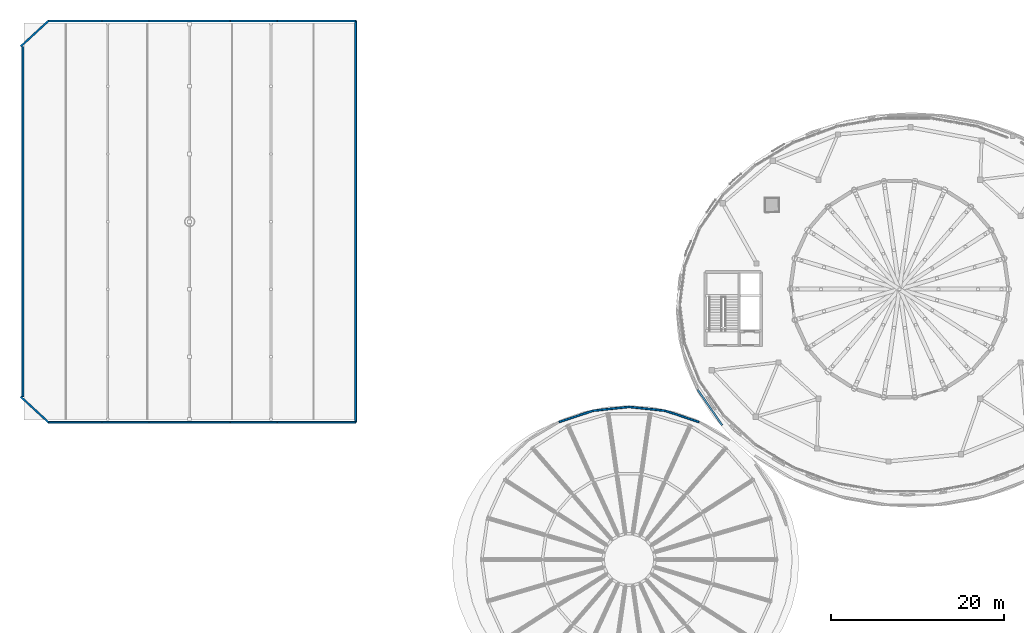
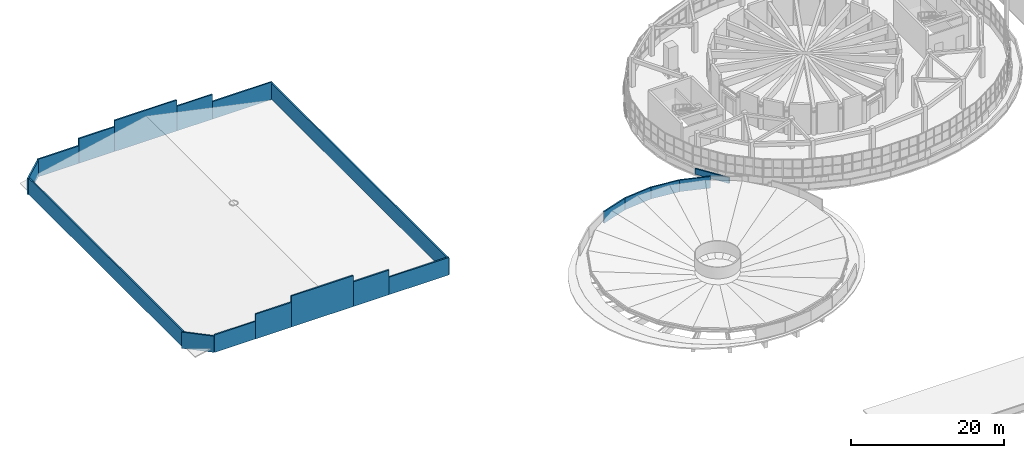
# One storey, part 58 of 69: 19 walls.
"""IFC4 building model written with IfcOpenShell, lengths in metres."""

from ifc_helpers import new_model, si_unit, direction, frame, frame_2d, origin, place, context, subcontext, project, spatial, rectangle, extrude, material, layer, layer_set, type_object, element, save


model = new_model("IFC4")

# Units and contexts
model_context = context("Model", 3, precision=1e-05, world=origin(), true_north=direction((0.0, 1.0)))
body_context = subcontext(model_context, "Body", "Model", "MODEL_VIEW")
ifc_project = project(units=[si_unit("LENGTHUNIT", "METRE"), si_unit("AREAUNIT", "SQUARE_METRE"), si_unit("VOLUMEUNIT", "CUBIC_METRE"), si_unit("PLANEANGLEUNIT", "RADIAN"), si_unit("MASSUNIT", "GRAM", prefix="KILO")], contexts=[model_context])

# Site, building, storey
site_placement = place(None, origin())
site = spatial("IfcSite", under=ifc_project, at=site_placement, CompositionType="ELEMENT")
building_placement = place(site_placement, origin())
building = spatial("IfcBuilding", under=site, at=building_placement, Name="Pelvatis Terrace Science Centre", CompositionType="ELEMENT")
storey_placement = place(building_placement, frame((0.0, 0.0, 15.0)))
storey = spatial("IfcBuildingStorey", under=building, at=storey_placement, Name="L03", CompositionType="ELEMENT", Elevation=15.0)

# Walls
ifc_material_1 = material(Name="White architectural precast concrete C40/50 spandrel parapet", Category="concrete")
ifc_layer_1 = layer(ifc_material_1, 0.205078125)
ifc_layer_set_1 = layer_set([ifc_layer_1], Name="White architectural precast concrete C40/50 spandrel parapet")
wall_type_1 = type_object("IfcWallType", Name="WL-PAR-205", PredefinedType="PARAPET", material=ifc_layer_set_1)
wall_1_placement = place(storey_placement, frame((86.078857421875, 70.47509765625, 0.0), z_axis=(0.0, 0.0, 1.0), x_axis=(-0.949305682961, 0.314354450102, 0.0)))
element("IfcWall", 1, at=wall_1_placement, inside=storey, type_object=wall_type_1, Name="White spiral ring parapet PW-CRV-L03-064", PredefinedType="PARAPET", context=body_context, shape_type="SweptSolid", body=[
    extrude(rectangle(XDim=4.145751953125, YDim=0.205078125, at=frame_2d((2.07275390625, 0.0))), origin(), (0.0, 0.0, 1.0), 1.85009765625),
])
for number, where, z_axis, x_axis, name in (
    (2, (82.143310546875, 71.7783203125, 0.0), (0.0, 0.0, 1.0), (-0.994366860558, 0.105993144231, 0.0), "White spiral ring parapet PW-CRV-L03-065"),
    (3, (78.0, 72.219970703125, 0.0), (0.0, 0.0, 1.0), (-0.994366860558, -0.105993144231, 0.0), "White spiral ring parapet PW-CRV-L03-066"),
):
    element("IfcWall", number, at=place(storey_placement, frame(where, z_axis=z_axis, x_axis=x_axis)), inside=storey, type_object=wall_type_1, Name=name, PredefinedType="PARAPET", context=body_context, shape_type="SweptSolid", body=[
        extrude(rectangle(XDim=4.166748046875, YDim=0.205078125, at=frame_2d((2.08349609375, 0.0))), origin(), (0.0, 0.0, 1.0), 1.85009765625),
    ])
wall_2_placement = place(storey_placement, frame((73.856689453125, 71.7783203125, 0.0), z_axis=(0.0, 0.0, 1.0), x_axis=(-0.949305682961, -0.314354450102, 0.0)))
element("IfcWall", 4, at=wall_2_placement, inside=storey, type_object=wall_type_1, Name="White spiral ring parapet PW-CRV-L03-067", PredefinedType="PARAPET", context=body_context, shape_type="SweptSolid", body=[
    extrude(rectangle(XDim=4.145751953125, YDim=0.205078125, at=frame_2d((2.07275390625, 0.0))), origin(), (0.0, 0.0, 1.0), 1.85009765625),
])
wall_3_placement = place(storey_placement, frame((85.916015625, 74.19970703125, 0.0), z_axis=(0.0, 0.0, 1.0), x_axis=(0.567734102571, -0.82321199504, 0.0)))
element("IfcWall", 5, at=wall_3_placement, inside=storey, type_object=wall_type_1, Name="White spiral ring parapet PW-CRV-L03-085", PredefinedType="PARAPET", context=body_context, shape_type="SweptSolid", body=[
    extrude(rectangle(XDim=4.974853515625, YDim=0.205078125, at=frame_2d((2.4873046875, 0.0))), origin(), (0.0, 0.0, 1.0), 0.919921875),
])
ifc_material_2 = material(Name="Precast concrete C35/45 coping parapet", Category="concrete")
ifc_layer_2 = layer(ifc_material_2, 0.219970703125)
ifc_layer_set_2 = layer_set([ifc_layer_2], Name="Precast concrete C35/45 coping parapet")
wall_type_2 = type_object("IfcWallType", Name="WL-PAR-220", PredefinedType="PARAPET", material=ifc_layer_set_2)
wall_4_placement = place(storey_placement, frame((8.050048828125, 73.39990234375, 0.0), z_axis=(0.0, 0.0, 1.0), x_axis=(0.0, 1.0, 0.0)))
element("IfcWall", 6, at=wall_4_placement, inside=storey, type_object=wall_type_2, Name="Theatre Art Deco stepped ziggurat parapet PW-V4-W", PredefinedType="PARAPET", context=body_context, shape_type="SweptSolid", body=[
    extrude(rectangle(XDim=40.400146484375, YDim=0.219970703125, at=frame_2d((20.2001953125, 0.0))), origin(), (0.0, 0.0, 1.0), 2.60009765625),
])
wall_5_placement = place(storey_placement, frame((46.449951171875, 70.449951171875, 0.0), z_axis=(0.0, 0.0, 1.0), x_axis=(0.0, 1.0, 0.0)))
element("IfcWall", 7, at=wall_5_placement, inside=storey, type_object=wall_type_2, Name="Theatre Art Deco stepped ziggurat parapet PW-V4-E", PredefinedType="PARAPET", context=body_context, shape_type="SweptSolid", body=[
    extrude(rectangle(XDim=46.300048828125, YDim=0.219970703125, at=frame_2d((23.14990234375, 0.0))), origin(), (0.0, 0.0, 1.0), 2.60009765625),
])
for number, where, z_axis, x_axis, name in (
    (8, (7.800048828125, 113.800048828125, 0.0), (0.0, 0.0, 1.0), (0.735244168043, 0.677802340922, 0.0), "Theatre Art Deco stepped ziggurat parapet PW-V4-NW"),
    (9, (11.0, 70.449951171875, 0.0), (0.0, 0.0, 1.0), (-0.735244168043, 0.677802340922, 0.0), "Theatre Art Deco stepped ziggurat parapet PW-V4-SW"),
):
    element("IfcWall", number, at=place(storey_placement, frame(where, z_axis=z_axis, x_axis=x_axis)), inside=storey, type_object=wall_type_2, Name=name, PredefinedType="PARAPET", context=body_context, shape_type="SweptSolid", body=[
        extrude(rectangle(XDim=4.352294921875, YDim=0.219970703125, at=frame_2d((2.17626953125, 0.0))), origin(), (0.0, 0.0, 1.0), 2.60009765625),
    ])
wall_6_placement = place(storey_placement, frame((11.0, 70.449951171875, 0.0), z_axis=(0.0, 0.0, 1.0), x_axis=(1.0, 0.0, 0.0)))
element("IfcWall", 10, at=wall_6_placement, inside=storey, type_object=wall_type_2, Name="Theatre Art Deco stepped ziggurat parapet PW-V4-S1", PredefinedType="PARAPET", context=body_context, shape_type="SweptSolid", body=[
    extrude(rectangle(XDim=6.199951171875, YDim=0.219970703125, at=frame_2d((3.10009765625, 0.0))), origin(), (0.0, 0.0, 1.0), 2.800048828125),
])
wall_7_placement = place(storey_placement, frame((17.199951171875, 70.449951171875, 0.0), z_axis=(0.0, 0.0, 1.0), x_axis=(1.0, 0.0, 0.0)))
element("IfcWall", 11, at=wall_7_placement, inside=storey, type_object=wall_type_2, Name="Theatre Art Deco stepped ziggurat parapet PW-V4-S2", PredefinedType="PARAPET", context=body_context, shape_type="SweptSolid", body=[
    extrude(rectangle(XDim=5.400146484375, YDim=0.219970703125, at=frame_2d((2.7001953125, 0.0))), origin(), (0.0, 0.0, 1.0), 3.949951171875),
])
wall_8_placement = place(storey_placement, frame((22.60009765625, 70.449951171875, 0.0), z_axis=(0.0, 0.0, 1.0), x_axis=(1.0, 0.0, 0.0)))
element("IfcWall", 12, at=wall_8_placement, inside=storey, type_object=wall_type_2, Name="Theatre Art Deco stepped ziggurat parapet PW-V4-S3", PredefinedType="PARAPET", context=body_context, shape_type="SweptSolid", body=[
    extrude(rectangle(XDim=9.39990234375, YDim=0.219970703125, at=frame_2d((4.699951171875, 0.0))), origin(), (0.0, 0.0, 1.0), 4.949951171875),
])
wall_9_placement = place(storey_placement, frame((32.0, 70.449951171875, 0.0), z_axis=(0.0, 0.0, 1.0), x_axis=(1.0, 0.0, 0.0)))
element("IfcWall", 13, at=wall_9_placement, inside=storey, type_object=wall_type_2, Name="Theatre Art Deco stepped ziggurat parapet PW-V4-S4", PredefinedType="PARAPET", context=body_context, shape_type="SweptSolid", body=[
    extrude(rectangle(XDim=5.39990234375, YDim=0.219970703125, at=frame_2d((2.699951171875, 0.0))), origin(), (0.0, 0.0, 1.0), 3.949951171875),
])
wall_10_placement = place(storey_placement, frame((37.39990234375, 70.449951171875, 0.0), z_axis=(0.0, 0.0, 1.0), x_axis=(1.0, 0.0, 0.0)))
element("IfcWall", 14, at=wall_10_placement, inside=storey, type_object=wall_type_2, Name="Theatre Art Deco stepped ziggurat parapet PW-V4-S5", PredefinedType="PARAPET", context=body_context, shape_type="SweptSolid", body=[
    extrude(rectangle(XDim=9.050048828125, YDim=0.219970703125, at=frame_2d((4.52490234375, 0.0))), origin(), (0.0, 0.0, 1.0), 2.800048828125),
])
wall_11_placement = place(storey_placement, frame((11.0, 116.75, 0.0), z_axis=(0.0, 0.0, 1.0), x_axis=(1.0, 0.0, 0.0)))
element("IfcWall", 15, at=wall_11_placement, inside=storey, type_object=wall_type_2, Name="Theatre Art Deco stepped ziggurat parapet PW-V4-N1", PredefinedType="PARAPET", context=body_context, shape_type="SweptSolid", body=[
    extrude(rectangle(XDim=6.199951171875, YDim=0.219970703125, at=frame_2d((3.10009765625, 0.0))), origin(), (0.0, 0.0, 1.0), 2.800048828125),
])
wall_12_placement = place(storey_placement, frame((17.199951171875, 116.75, 0.0), z_axis=(0.0, 0.0, 1.0), x_axis=(1.0, 0.0, 0.0)))
element("IfcWall", 16, at=wall_12_placement, inside=storey, type_object=wall_type_2, Name="Theatre Art Deco stepped ziggurat parapet PW-V4-N2", PredefinedType="PARAPET", context=body_context, shape_type="SweptSolid", body=[
    extrude(rectangle(XDim=5.400146484375, YDim=0.219970703125, at=frame_2d((2.7001953125, 0.0))), origin(), (0.0, 0.0, 1.0), 3.949951171875),
])
wall_13_placement = place(storey_placement, frame((22.60009765625, 116.75, 0.0), z_axis=(0.0, 0.0, 1.0), x_axis=(1.0, 0.0, 0.0)))
element("IfcWall", 17, at=wall_13_placement, inside=storey, type_object=wall_type_2, Name="Theatre Art Deco stepped ziggurat parapet PW-V4-N3", PredefinedType="PARAPET", context=body_context, shape_type="SweptSolid", body=[
    extrude(rectangle(XDim=9.39990234375, YDim=0.219970703125, at=frame_2d((4.699951171875, 0.0))), origin(), (0.0, 0.0, 1.0), 4.949951171875),
])
wall_14_placement = place(storey_placement, frame((32.0, 116.75, 0.0), z_axis=(0.0, 0.0, 1.0), x_axis=(1.0, 0.0, 0.0)))
element("IfcWall", 18, at=wall_14_placement, inside=storey, type_object=wall_type_2, Name="Theatre Art Deco stepped ziggurat parapet PW-V4-N4", PredefinedType="PARAPET", context=body_context, shape_type="SweptSolid", body=[
    extrude(rectangle(XDim=5.39990234375, YDim=0.219970703125, at=frame_2d((2.699951171875, 0.0))), origin(), (0.0, 0.0, 1.0), 3.949951171875),
])
wall_15_placement = place(storey_placement, frame((37.39990234375, 116.75, 0.0), z_axis=(0.0, 0.0, 1.0), x_axis=(1.0, 0.0, 0.0)))
element("IfcWall", 19, at=wall_15_placement, inside=storey, type_object=wall_type_2, Name="Theatre Art Deco stepped ziggurat parapet PW-V4-N5", PredefinedType="PARAPET", context=body_context, shape_type="SweptSolid", body=[
    extrude(rectangle(XDim=9.050048828125, YDim=0.219970703125, at=frame_2d((4.52490234375, 0.0))), origin(), (0.0, 0.0, 1.0), 2.800048828125),
])

save(model, "model.ifc")
